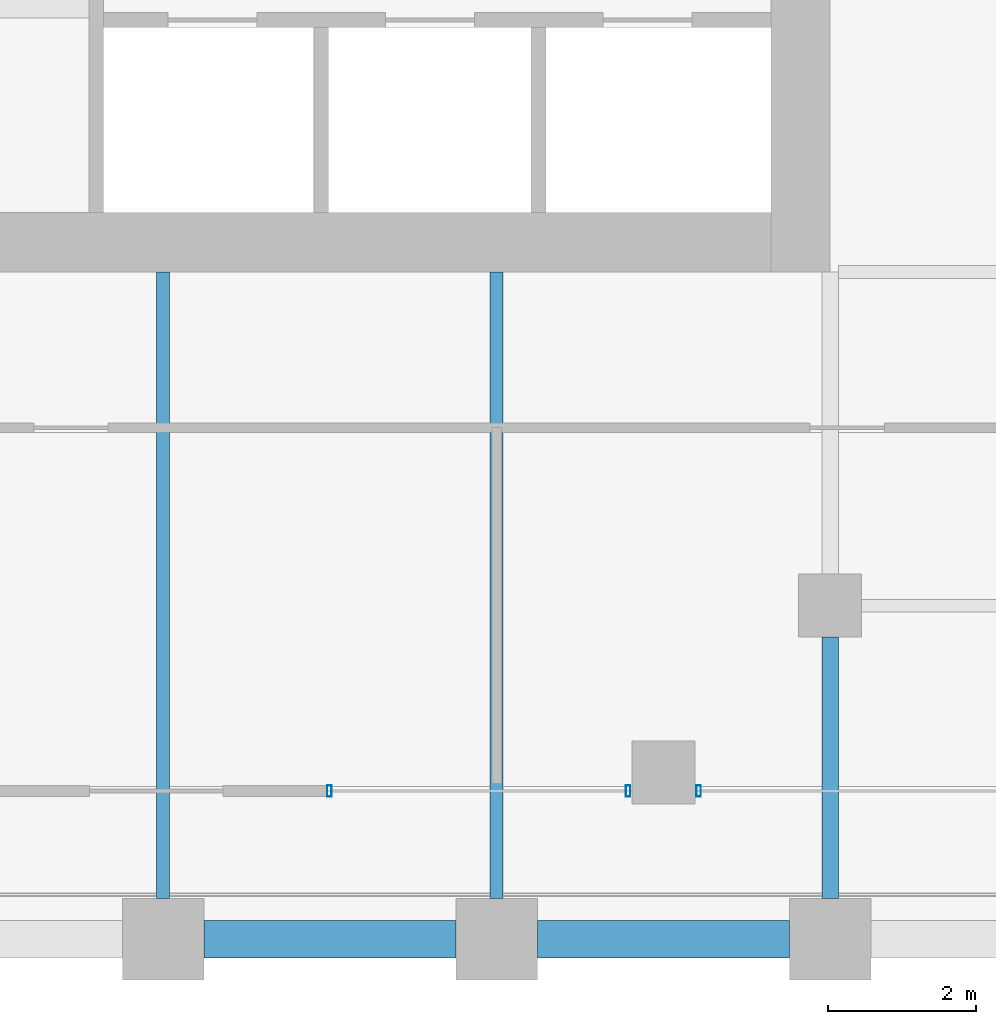
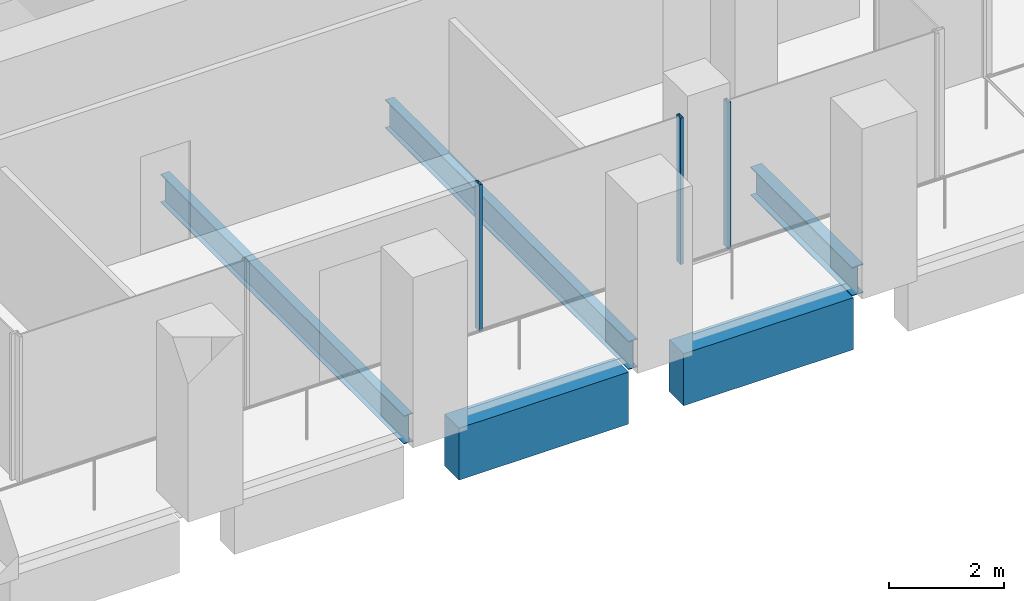
# One storey, part 37 of 56: 5 beams, 3 members, 2 elements without a shape of their own.
"""IFC4 building model written with IfcOpenShell, lengths in metres."""

from ifc_helpers import new_model, si_unit, direction, frame, origin, origin_2d, place, context, subcontext, project, spatial, rectangle, hollow_rectangle, i_section, extrude, material, material_profile, profile_set, type_object, element, aggregate, save


model = new_model("IFC4")

# Units and contexts
model_context = context("Model", 3, precision=1e-05, world=origin(), true_north=direction((0.0, 1.0)))
body_context = subcontext(model_context, "Body", "Model", "MODEL_VIEW")
ifc_project = project(units=[si_unit("LENGTHUNIT", "METRE"), si_unit("AREAUNIT", "SQUARE_METRE"), si_unit("VOLUMEUNIT", "CUBIC_METRE"), si_unit("PLANEANGLEUNIT", "RADIAN"), si_unit("MASSUNIT", "GRAM", prefix="KILO")], contexts=[model_context])

# Site, building, storey
site_placement = place(None, origin())
site = spatial("IfcSite", under=ifc_project, at=site_placement, CompositionType="ELEMENT")
building_placement = place(site_placement, origin())
building = spatial("IfcBuilding", under=site, at=building_placement, Name="Altepetl Exchange Towers", CompositionType="ELEMENT")
storey_placement = place(building_placement, frame((0.0, 0.0, 69.0)))
storey = spatial("IfcBuildingStorey", under=building, at=storey_placement, Name="L16", CompositionType="ELEMENT", Elevation=69.0)

# Beams
ifc_material_1 = material(Name="Steel S355", Category="steel")
ifc_material_profile_1 = material_profile(ifc_material_1, i_section(OverallWidth=0.177978515625, OverallDepth=0.59912109375, WebThickness=0.010009765625, FlangeThickness=0.0126953125, at=origin_2d()), Name="W24X55")
ifc_profile_set_1 = profile_set([ifc_material_profile_1], Name="Steel S355")
beam_type_1 = type_object("IfcBeamType", Name="Floor beam W24X55", PredefinedType="BEAM", material=ifc_profile_set_1)
for number, where, z_axis, x_axis, name in (
    (1, (108.0, 27.550048828125, -0.449462890625), (0.0, 1.0, 0.0), (-1.0, 0.0, 0.0), "bm:B:L16:010"),
    (2, (112.5, 27.550048828125, -0.449462890625), (0.0, 1.0, 0.0), (-1.0, 0.0, 0.0), "bm:B:L16:011"),
):
    element("IfcBeam", number, at=place(storey_placement, frame(where, z_axis=z_axis, x_axis=x_axis)), inside=storey, type_object=beam_type_1, Name=name, PredefinedType="BEAM", context=body_context, shape_type="SweptSolid", body=[
        extrude(i_section(OverallWidth=0.177978515625, OverallDepth=0.59912109375, WebThickness=0.010009765625, FlangeThickness=0.0126953125, at=origin_2d()), origin(), (0.0, 0.0, 1.0), 8.449951171875),
    ])
ifc_material_profile_2 = material_profile(ifc_material_1, i_section(OverallWidth=0.22802734375, OverallDepth=0.60791015625, WebThickness=0.01123046875, FlangeThickness=0.017333984375, at=origin_2d()), Name="W24X76")
ifc_profile_set_2 = profile_set([ifc_material_profile_2], Name="Steel S355")
beam_type_2 = type_object("IfcBeamType", Name="Girder W24X76", PredefinedType="BEAM", material=ifc_profile_set_2)
beam_placement = place(storey_placement, frame((117.0, 31.074951171875, -0.4541015625), z_axis=(0.0, -1.0, 0.0), x_axis=(1.0, 0.0, 0.0)))
element("IfcBeam", 3, at=beam_placement, inside=storey, type_object=beam_type_2, Name="gd:B:L16:005", PredefinedType="BEAM", context=body_context, shape_type="SweptSolid", body=[
    extrude(i_section(OverallWidth=0.22802734375, OverallDepth=0.60791015625, WebThickness=0.01123046875, FlangeThickness=0.017333984375, at=origin_2d()), origin(), (0.0, 0.0, 1.0), 3.52490234375),
])

# Curtain wall, members
ifc_material_2 = material(Name="Aluminium 6063-T6 glazing", Category="aluminium")
curtain_wall_type = type_object("IfcCurtainWallType", Name="Loggia glazing system", PredefinedType="NOTDEFINED", material=ifc_material_2)
curtain_wall_1_placement = place(storey_placement, origin())
curtain_wall_1 = element("IfcCurtainWall", 4, at=curtain_wall_1_placement, inside=storey, type_object=curtain_wall_type, Name="CW1 run", PredefinedType="NOTDEFINED")
ifc_material_3 = material(Name="Aluminium 6063-T6", Category="aluminium")
ifc_material_profile_3 = material_profile(ifc_material_3, hollow_rectangle(XDim=0.06005859375, YDim=0.14990234375, WallThickness=0.0029296875, at=origin_2d()), Name="Mullion 60x150 aluminium")
ifc_profile_set_3 = profile_set([ifc_material_profile_3], Name="Aluminium 6063-T6")
member_type = type_object("IfcMemberType", Name="Mullion 60x150 aluminium", PredefinedType="MULLION", material=ifc_profile_set_3)
member_1_placement = place(storey_placement, frame((110.242431640625, 29.0, 0.0)))
member_1 = element("IfcMember", 5, at=member_1_placement, type_object=member_type, Name="MU1 mullion", PredefinedType="MULLION", context=body_context, shape_type="SweptSolid", body=[
    extrude(hollow_rectangle(XDim=0.06005859375, YDim=0.14990234375, WallThickness=0.0029296875, at=origin_2d()), origin(), (0.0, 0.0, 1.0), 3.10009765625),
])
member_2_placement = place(storey_placement, frame((114.27490234375, 29.0, 0.0)))
member_2 = element("IfcMember", 6, at=member_2_placement, type_object=member_type, Name="MU1 mullion", PredefinedType="MULLION", context=body_context, shape_type="SweptSolid", body=[
    extrude(hollow_rectangle(XDim=0.06005859375, YDim=0.14990234375, WallThickness=0.0029296875, at=origin_2d()), origin(), (0.0, 0.0, 1.0), 3.10009765625),
])
aggregate(curtain_wall_1, [member_1, member_2])

# Curtain wall, member
curtain_wall_2_placement = place(storey_placement, origin())
curtain_wall_2 = element("IfcCurtainWall", 7, at=curtain_wall_2_placement, inside=storey, type_object=curtain_wall_type, Name="CW1 run", PredefinedType="NOTDEFINED")
member_3_placement = place(storey_placement, frame((115.22509765625, 29.0, 0.0)))
member_3 = element("IfcMember", 8, at=member_3_placement, type_object=member_type, Name="MU1 mullion", PredefinedType="MULLION", context=body_context, shape_type="SweptSolid", body=[
    extrude(hollow_rectangle(XDim=0.06005859375, YDim=0.14990234375, WallThickness=0.0029296875, at=origin_2d()), origin(), (0.0, 0.0, 1.0), 3.10009765625),
])
aggregate(curtain_wall_2, [member_3])

# Beams
ifc_material_4 = material(Name="Concrete C50/60 precast with tezontle facing", Category="concrete")
ifc_material_profile_4 = material_profile(ifc_material_4, rectangle(XDim=0.5, YDim=1.10009765625, at=origin_2d()), Name="500 x 1100")
ifc_profile_set_4 = profile_set([ifc_material_profile_4], Name="Concrete C50/60 precast with tezontle facing")
beam_type_3 = type_object("IfcBeamType", Name="Spandrel beam 500x1100 tezontle", PredefinedType="SPANDREL", material=ifc_profile_set_4)
for number, where, z_axis, x_axis, name in (
    (9, (108.550048828125, 27.0, -0.699951171875), (1.0, 0.0, 0.0), (0.0, 1.0, 0.0), "sp:B:L16:002"),
    (10, (113.050048828125, 27.0, -0.699951171875), (1.0, 0.0, 0.0), (0.0, 1.0, 0.0), "sp:B:L16:003"),
):
    element("IfcBeam", number, at=place(storey_placement, frame(where, z_axis=z_axis, x_axis=x_axis)), inside=storey, type_object=beam_type_3, Name=name, PredefinedType="SPANDREL", context=body_context, shape_type="SweptSolid", body=[
        extrude(rectangle(XDim=0.5, YDim=1.10009765625, at=origin_2d()), origin(), (0.0, 0.0, 1.0), 3.39990234375),
    ])

save(model, "model.ifc")
